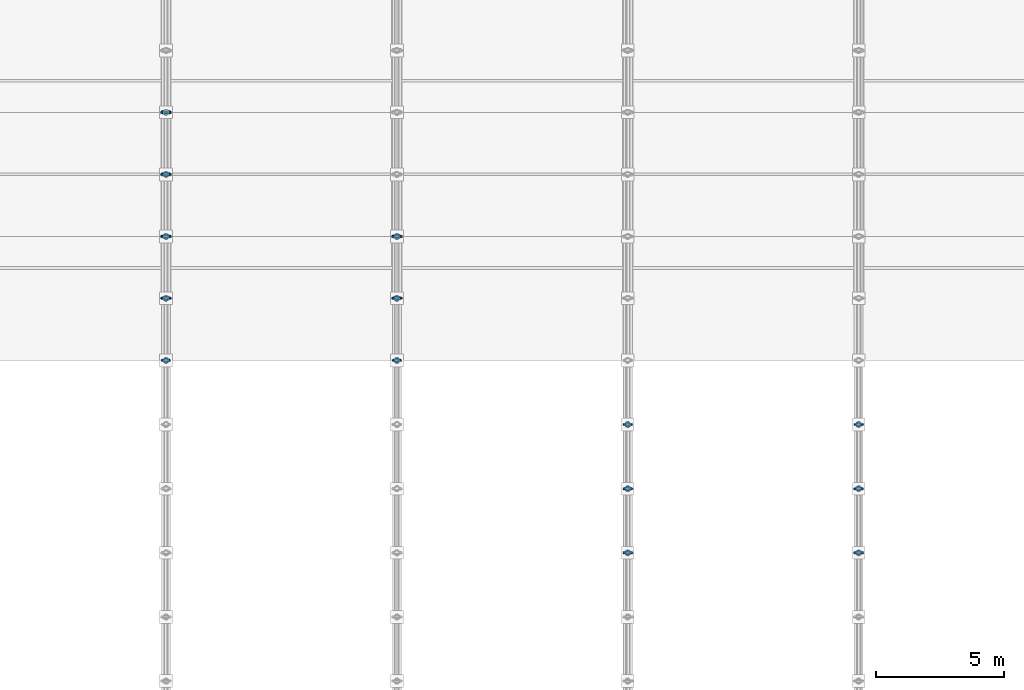
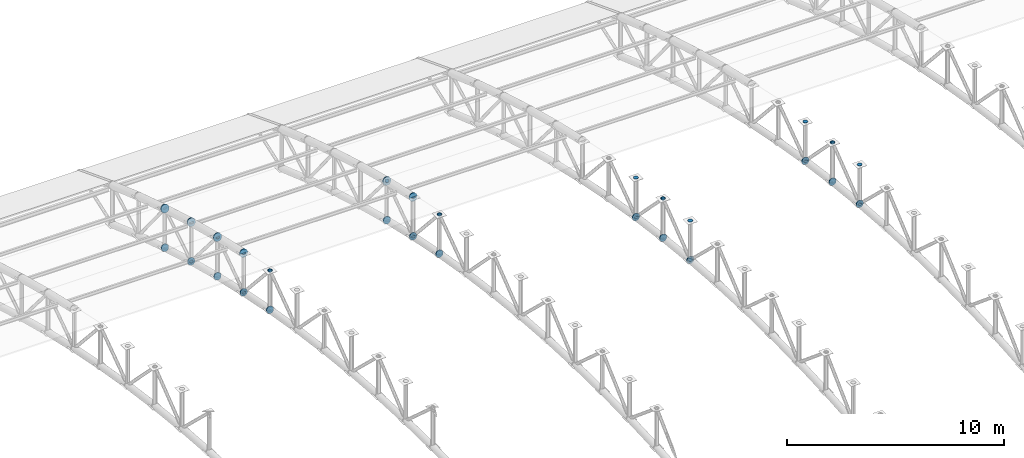
# One storey, part 158 of 195: 92 discrete accessories.
"""IFC4 building model written with IfcOpenShell, lengths in metres."""

from ifc_helpers import new_model, si_unit, direction, frame, origin, origin_2d, place, context, subcontext, project, spatial, circle, extrude, material, element, save


model = new_model("IFC4")

# Units and contexts
model_context = context("Model", 3, precision=1e-05, world=origin(), true_north=direction((0.0, 1.0)))
body_context = subcontext(model_context, "Body", "Model", "MODEL_VIEW")
ifc_project = project(units=[si_unit("LENGTHUNIT", "METRE"), si_unit("AREAUNIT", "SQUARE_METRE"), si_unit("VOLUMEUNIT", "CUBIC_METRE"), si_unit("PLANEANGLEUNIT", "RADIAN"), si_unit("MASSUNIT", "GRAM", prefix="KILO")], contexts=[model_context])

# Site, building, storey
site_placement = place(None, origin())
site = spatial("IfcSite", under=ifc_project, at=site_placement, CompositionType="ELEMENT")
building_placement = place(site_placement, origin())
building = spatial("IfcBuilding", under=site, at=building_placement, Name="Marlcrest Central Station", CompositionType="ELEMENT")
storey_placement = place(building_placement, frame((0.0, 0.0, 9.800048828125)))
storey = spatial("IfcBuildingStorey", under=building, at=storey_placement, Name="L02", CompositionType="ELEMENT", Elevation=9.800048828125)

# Discrete accessories
ifc_material = material(Name="Steel S355", Category="steel")
discrete_accessory_1_placement = place(storey_placement, frame((162.0, 80.975341796875, 3.407958984375), z_axis=(0.0, 0.98574109921, -0.168269086076), x_axis=(-1.0, 0.0, 0.0)))
element("IfcDiscreteAccessory", 1, at=discrete_accessory_1_placement, inside=storey, material=ifc_material, Name="endcap-mem-AC-02-L02-01393-e", ObjectType="END_CAP_PLATE", PredefinedType="BRACKET", context=body_context, shape_type="SweptSolid", body=[
    extrude(circle(Radius=0.185791015625, at=origin_2d()), origin(), (0.0, 0.0, 1.0), 0.0400390625),
])
discrete_accessory_2_placement = place(storey_placement, frame((162.0, 80.9794921875, 5.58935546875), z_axis=(0.0, 0.815661132754, 0.57852996164), x_axis=(-1.0, 0.0, 0.0)))
element("IfcDiscreteAccessory", 2, at=discrete_accessory_2_placement, inside=storey, material=ifc_material, Name="endcap-mem-AD-01-L02-01395-e", ObjectType="END_CAP_PLATE", PredefinedType="BRACKET", context=body_context, shape_type="SweptSolid", body=[
    extrude(circle(Radius=0.092041015625, at=origin_2d()), origin(), (0.0, 0.0, 1.0), 0.0400390625),
])
for number, where, z_axis, x_axis, name in (
    (3, (162.0, 80.9853515625, 3.40673828125), (0.0, 0.980359417961, -0.197219196874), (-1.0, 0.0, 0.0), "endcap-mem-AC-02-L02-01397-s"),
    (4, (162.0, 83.3955078125, 2.921875), (0.0, 0.980359417961, -0.197219196874), (-1.0, 0.0, 0.0), "endcap-mem-AC-02-L02-01397-e"),
):
    element("IfcDiscreteAccessory", number, at=place(storey_placement, frame(where, z_axis=z_axis, x_axis=x_axis)), inside=storey, material=ifc_material, Name=name, ObjectType="END_CAP_PLATE", PredefinedType="BRACKET", context=body_context, shape_type="SweptSolid", body=[
        extrude(circle(Radius=0.185791015625, at=origin_2d()), origin(), (0.0, 0.0, 1.0), 0.0400390625),
    ])
for number, where, z_axis, x_axis, name in (
    (5, (162.0, 81.0, 3.388916015625), (0.0, 0.0, 1.0), (1.0, 0.0, 0.0), "endcap-mem-AP-01-L02-01398-s"),
    (6, (162.0, 81.0, 5.578857421875), (0.0, 0.0, 1.0), (1.0, 0.0, 0.0), "endcap-mem-AP-01-L02-01398-e"),
):
    element("IfcDiscreteAccessory", number, at=place(storey_placement, frame(where, z_axis=z_axis, x_axis=x_axis)), inside=storey, material=ifc_material, Name=name, ObjectType="END_CAP_PLATE", PredefinedType="BRACKET", context=body_context, shape_type="SweptSolid", body=[
        extrude(circle(Radius=0.117431640625, at=origin_2d()), origin(), (0.0, 0.0, 1.0), 0.0400390625),
    ])
for number, where, z_axis, x_axis, name in (
    (7, (162.0, 80.989990234375, 5.614990234375), (0.0, 0.669244457479, -0.743042297675), (-1.0, 0.0, 0.0), "endcap-mem-AD-01-L02-01399-s"),
    (8, (162.0, 83.403076171875, 2.935546875), (0.0, 0.669244457479, -0.743042297675), (-1.0, 0.0, 0.0), "endcap-mem-AD-01-L02-01399-e"),
):
    element("IfcDiscreteAccessory", number, at=place(storey_placement, frame(where, z_axis=z_axis, x_axis=x_axis)), inside=storey, material=ifc_material, Name=name, ObjectType="END_CAP_PLATE", PredefinedType="BRACKET", context=body_context, shape_type="SweptSolid", body=[
        extrude(circle(Radius=0.092041015625, at=origin_2d()), origin(), (0.0, 0.0, 1.0), 0.0400390625),
    ])
for number, where, z_axis, x_axis, name in (
    (9, (162.0, 83.4052734375, 5.120361328125), (0.0, 0.974329612642, -0.225126200004), (-1.0, 0.0, 0.0), "endcap-mem-AC-01-L02-01400-s"),
    (10, (162.0, 85.8056640625, 4.565673828125), (0.0, 0.974329612642, -0.225126200004), (-1.0, 0.0, 0.0), "endcap-mem-AC-01-L02-01400-e"),
):
    element("IfcDiscreteAccessory", number, at=place(storey_placement, frame(where, z_axis=z_axis, x_axis=x_axis)), inside=storey, material=ifc_material, Name=name, ObjectType="END_CAP_PLATE", PredefinedType="BRACKET", context=body_context, shape_type="SweptSolid", body=[
        extrude(circle(Radius=0.211181640625, at=origin_2d()), origin(), (0.0, 0.0, 1.0), 0.0400390625),
    ])
for number, where, z_axis, x_axis, name in (
    (11, (162.0, 83.4052734375, 2.92041015625), (0.0, 0.974307959875, -0.225219891049), (-1.0, 0.0, 0.0), "endcap-mem-AC-02-L02-01401-s"),
    (12, (162.0, 85.8056640625, 2.365478515625), (0.0, 0.974307959875, -0.225219891049), (-1.0, 0.0, 0.0), "endcap-mem-AC-02-L02-01401-e"),
):
    element("IfcDiscreteAccessory", number, at=place(storey_placement, frame(where, z_axis=z_axis, x_axis=x_axis)), inside=storey, material=ifc_material, Name=name, ObjectType="END_CAP_PLATE", PredefinedType="BRACKET", context=body_context, shape_type="SweptSolid", body=[
        extrude(circle(Radius=0.185791015625, at=origin_2d()), origin(), (0.0, 0.0, 1.0), 0.0400390625),
    ])
for number, where, z_axis, x_axis, name in (
    (13, (162.0, 83.419921875, 2.902099609375), (0.0, 0.0, 1.0), (1.0, 0.0, 0.0), "endcap-mem-AP-01-L02-01402-s"),
    (14, (162.0, 83.419921875, 5.092041015625), (0.0, 0.0, 1.0), (1.0, 0.0, 0.0), "endcap-mem-AP-01-L02-01402-e"),
):
    element("IfcDiscreteAccessory", number, at=place(storey_placement, frame(where, z_axis=z_axis, x_axis=x_axis)), inside=storey, material=ifc_material, Name=name, ObjectType="END_CAP_PLATE", PredefinedType="BRACKET", context=body_context, shape_type="SweptSolid", body=[
        extrude(circle(Radius=0.117431640625, at=origin_2d()), origin(), (0.0, 0.0, 1.0), 0.0400390625),
    ])
for number, where, z_axis, x_axis, name in (
    (15, (162.0, 83.407470703125, 2.908447265625), (0.0, 0.82626275624, 0.563284881432), (-1.0, 0.0, 0.0), "endcap-mem-AD-01-L02-01403-s"),
    (16, (162.0, 85.809326171875, 4.5458984375), (0.0, 0.82626275624, 0.563284881432), (-1.0, 0.0, 0.0), "endcap-mem-AD-01-L02-01403-e"),
):
    element("IfcDiscreteAccessory", number, at=place(storey_placement, frame(where, z_axis=z_axis, x_axis=x_axis)), inside=storey, material=ifc_material, Name=name, ObjectType="END_CAP_PLATE", PredefinedType="BRACKET", context=body_context, shape_type="SweptSolid", body=[
        extrude(circle(Radius=0.092041015625, at=origin_2d()), origin(), (0.0, 0.0, 1.0), 0.0400390625),
    ])
for number, where, z_axis, x_axis, name in (
    (17, (162.0, 85.815673828125, 4.56396484375), (0.0, 0.967539481681, -0.252719906989), (-1.0, 0.0, 0.0), "endcap-mem-AC-01-L02-01404-s"),
    (18, (162.0, 88.225830078125, 3.934326171875), (0.0, 0.967539481681, -0.252719906989), (-1.0, 0.0, 0.0), "endcap-mem-AC-01-L02-01404-e"),
):
    element("IfcDiscreteAccessory", number, at=place(storey_placement, frame(where, z_axis=z_axis, x_axis=x_axis)), inside=storey, material=ifc_material, Name=name, ObjectType="END_CAP_PLATE", PredefinedType="BRACKET", context=body_context, shape_type="SweptSolid", body=[
        extrude(circle(Radius=0.211181640625, at=origin_2d()), origin(), (0.0, 0.0, 1.0), 0.0400390625),
    ])
for number, where, z_axis, x_axis, name in (
    (19, (162.0, 85.815673828125, 2.36376953125), (0.0, 0.967563345928, -0.252628524946), (-1.0, 0.0, 0.0), "endcap-mem-AC-02-L02-01405-s"),
    (20, (162.0, 88.225830078125, 1.734375), (0.0, 0.967563345928, -0.252628524946), (-1.0, 0.0, 0.0), "endcap-mem-AC-02-L02-01405-e"),
):
    element("IfcDiscreteAccessory", number, at=place(storey_placement, frame(where, z_axis=z_axis, x_axis=x_axis)), inside=storey, material=ifc_material, Name=name, ObjectType="END_CAP_PLATE", PredefinedType="BRACKET", context=body_context, shape_type="SweptSolid", body=[
        extrude(circle(Radius=0.185791015625, at=origin_2d()), origin(), (0.0, 0.0, 1.0), 0.0400390625),
    ])
for number, where, z_axis, x_axis, name in (
    (21, (162.0, 85.830078125, 2.344970703125), (0.0, 0.0, 1.0), (1.0, 0.0, 0.0), "endcap-mem-AP-01-L02-01406-s"),
    (22, (162.0, 85.830078125, 4.53515625), (0.0, 0.0, 1.0), (1.0, 0.0, 0.0), "endcap-mem-AP-01-L02-01406-e"),
):
    element("IfcDiscreteAccessory", number, at=place(storey_placement, frame(where, z_axis=z_axis, x_axis=x_axis)), inside=storey, material=ifc_material, Name=name, ObjectType="END_CAP_PLATE", PredefinedType="BRACKET", context=body_context, shape_type="SweptSolid", body=[
        extrude(circle(Radius=0.117431640625, at=origin_2d()), origin(), (0.0, 0.0, 1.0), 0.0400390625),
    ])
for number, where, z_axis, x_axis, name in (
    (23, (162.0, 85.8203125, 4.571533203125), (0.0, 0.649624779144, -0.760254987699), (-1.0, 0.0, 0.0), "endcap-mem-AD-01-L02-01407-s"),
    (24, (162.0, 88.233642578125, 1.7470703125), (0.0, 0.649624779144, -0.760254987699), (-1.0, 0.0, 0.0), "endcap-mem-AD-01-L02-01407-e"),
):
    element("IfcDiscreteAccessory", number, at=place(storey_placement, frame(where, z_axis=z_axis, x_axis=x_axis)), inside=storey, material=ifc_material, Name=name, ObjectType="END_CAP_PLATE", PredefinedType="BRACKET", context=body_context, shape_type="SweptSolid", body=[
        extrude(circle(Radius=0.092041015625, at=origin_2d()), origin(), (0.0, 0.0, 1.0), 0.0400390625),
    ])
for number, where, z_axis, x_axis, name in (
    (25, (162.0, 88.235595703125, 3.93212890625), (0.0, 0.960130083362, -0.27955361386), (-1.0, 0.0, 0.0), "endcap-mem-AC-01-L02-01408-s"),
    (26, (162.0, 90.64599609375, 3.23046875), (0.0, 0.960130083362, -0.27955361386), (-1.0, 0.0, 0.0), "endcap-mem-AC-01-L02-01408-e"),
):
    element("IfcDiscreteAccessory", number, at=place(storey_placement, frame(where, z_axis=z_axis, x_axis=x_axis)), inside=storey, material=ifc_material, Name=name, ObjectType="END_CAP_PLATE", PredefinedType="BRACKET", context=body_context, shape_type="SweptSolid", body=[
        extrude(circle(Radius=0.211181640625, at=origin_2d()), origin(), (0.0, 0.0, 1.0), 0.0400390625),
    ])
for number, where, z_axis, x_axis, name in (
    (27, (162.0, 88.235595703125, 1.732177734375), (0.0, 0.960130083362, -0.27955361386), (-1.0, 0.0, 0.0), "endcap-mem-AC-02-L02-01409-s"),
    (28, (162.0, 90.64599609375, 1.030517578125), (0.0, 0.960130083362, -0.27955361386), (-1.0, 0.0, 0.0), "endcap-mem-AC-02-L02-01409-e"),
):
    element("IfcDiscreteAccessory", number, at=place(storey_placement, frame(where, z_axis=z_axis, x_axis=x_axis)), inside=storey, material=ifc_material, Name=name, ObjectType="END_CAP_PLATE", PredefinedType="BRACKET", context=body_context, shape_type="SweptSolid", body=[
        extrude(circle(Radius=0.185791015625, at=origin_2d()), origin(), (0.0, 0.0, 1.0), 0.0400390625),
    ])
for number, where, z_axis, x_axis, name in (
    (29, (162.0, 88.25, 1.713134765625), (0.0, 0.0, 1.0), (1.0, 0.0, 0.0), "endcap-mem-AP-01-L02-01410-s"),
    (30, (162.0, 88.25, 3.903076171875), (0.0, 0.0, 1.0), (1.0, 0.0, 0.0), "endcap-mem-AP-01-L02-01410-e"),
):
    element("IfcDiscreteAccessory", number, at=place(storey_placement, frame(where, z_axis=z_axis, x_axis=x_axis)), inside=storey, material=ifc_material, Name=name, ObjectType="END_CAP_PLATE", PredefinedType="BRACKET", context=body_context, shape_type="SweptSolid", body=[
        extrude(circle(Radius=0.117431640625, at=origin_2d()), origin(), (0.0, 0.0, 1.0), 0.0400390625),
    ])
for number, where, z_axis, x_axis, name in (
    (31, (162.0, 88.2373046875, 1.72021484375), (0.0, 0.850687380038, 0.525671933286), (-1.0, 0.0, 0.0), "endcap-mem-AD-01-L02-01411-s"),
    (32, (162.0, 90.648681640625, 3.210205078125), (0.0, 0.850687380038, 0.525671933286), (-1.0, 0.0, 0.0), "endcap-mem-AD-01-L02-01411-e"),
):
    element("IfcDiscreteAccessory", number, at=place(storey_placement, frame(where, z_axis=z_axis, x_axis=x_axis)), inside=storey, material=ifc_material, Name=name, ObjectType="END_CAP_PLATE", PredefinedType="BRACKET", context=body_context, shape_type="SweptSolid", body=[
        extrude(circle(Radius=0.092041015625, at=origin_2d()), origin(), (0.0, 0.0, 1.0), 0.0400390625),
    ])
discrete_accessory_3_placement = place(storey_placement, frame((162.0, 90.65576171875, 3.22802734375), z_axis=(0.0, 0.952116828449, -0.305734435391), x_axis=(-1.0, 0.0, 0.0)))
element("IfcDiscreteAccessory", 33, at=discrete_accessory_3_placement, inside=storey, material=ifc_material, Name="endcap-mem-AC-01-L02-01412-s", ObjectType="END_CAP_PLATE", PredefinedType="BRACKET", context=body_context, shape_type="SweptSolid", body=[
    extrude(circle(Radius=0.211181640625, at=origin_2d()), origin(), (0.0, 0.0, 1.0), 0.0400390625),
])
discrete_accessory_4_placement = place(storey_placement, frame((162.0, 90.65576171875, 1.028076171875), z_axis=(0.0, 0.952116828449, -0.305734435391), x_axis=(-1.0, 0.0, 0.0)))
element("IfcDiscreteAccessory", 34, at=discrete_accessory_4_placement, inside=storey, material=ifc_material, Name="endcap-mem-AC-02-L02-01413-s", ObjectType="END_CAP_PLATE", PredefinedType="BRACKET", context=body_context, shape_type="SweptSolid", body=[
    extrude(circle(Radius=0.185791015625, at=origin_2d()), origin(), (0.0, 0.0, 1.0), 0.0400390625),
])
discrete_accessory_5_placement = place(storey_placement, frame((162.0, 90.669921875, 1.008544921875), z_axis=(0.0, 0.0, 1.0), x_axis=(1.0, 0.0, 0.0)))
element("IfcDiscreteAccessory", 35, at=discrete_accessory_5_placement, inside=storey, material=ifc_material, Name="endcap-mem-AP-01-L02-01414-s", ObjectType="END_CAP_PLATE", PredefinedType="BRACKET", context=body_context, shape_type="SweptSolid", body=[
    extrude(circle(Radius=0.117431640625, at=origin_2d()), origin(), (0.0, 0.0, 1.0), 0.0400390625),
])
discrete_accessory_6_placement = place(storey_placement, frame((171.0, 80.975341796875, 3.407958984375), z_axis=(0.0, 0.98574109921, -0.168269086076), x_axis=(-1.0, 0.0, 0.0)))
element("IfcDiscreteAccessory", 36, at=discrete_accessory_6_placement, inside=storey, material=ifc_material, Name="endcap-mem-AC-02-L02-01509-e", ObjectType="END_CAP_PLATE", PredefinedType="BRACKET", context=body_context, shape_type="SweptSolid", body=[
    extrude(circle(Radius=0.185791015625, at=origin_2d()), origin(), (0.0, 0.0, 1.0), 0.0400390625),
])
discrete_accessory_7_placement = place(storey_placement, frame((171.0, 80.9794921875, 5.58935546875), z_axis=(0.0, 0.815661132754, 0.57852996164), x_axis=(-1.0, 0.0, 0.0)))
element("IfcDiscreteAccessory", 37, at=discrete_accessory_7_placement, inside=storey, material=ifc_material, Name="endcap-mem-AD-01-L02-01511-e", ObjectType="END_CAP_PLATE", PredefinedType="BRACKET", context=body_context, shape_type="SweptSolid", body=[
    extrude(circle(Radius=0.092041015625, at=origin_2d()), origin(), (0.0, 0.0, 1.0), 0.0400390625),
])
for number, where, z_axis, x_axis, name in (
    (38, (171.0, 80.9853515625, 3.40673828125), (0.0, 0.980359417961, -0.197219196874), (-1.0, 0.0, 0.0), "endcap-mem-AC-02-L02-01513-s"),
    (39, (171.0, 83.3955078125, 2.921875), (0.0, 0.980359417961, -0.197219196874), (-1.0, 0.0, 0.0), "endcap-mem-AC-02-L02-01513-e"),
):
    element("IfcDiscreteAccessory", number, at=place(storey_placement, frame(where, z_axis=z_axis, x_axis=x_axis)), inside=storey, material=ifc_material, Name=name, ObjectType="END_CAP_PLATE", PredefinedType="BRACKET", context=body_context, shape_type="SweptSolid", body=[
        extrude(circle(Radius=0.185791015625, at=origin_2d()), origin(), (0.0, 0.0, 1.0), 0.0400390625),
    ])
for number, where, z_axis, x_axis, name in (
    (40, (171.0, 81.0, 3.388916015625), (0.0, 0.0, 1.0), (1.0, 0.0, 0.0), "endcap-mem-AP-01-L02-01514-s"),
    (41, (171.0, 81.0, 5.578857421875), (0.0, 0.0, 1.0), (1.0, 0.0, 0.0), "endcap-mem-AP-01-L02-01514-e"),
):
    element("IfcDiscreteAccessory", number, at=place(storey_placement, frame(where, z_axis=z_axis, x_axis=x_axis)), inside=storey, material=ifc_material, Name=name, ObjectType="END_CAP_PLATE", PredefinedType="BRACKET", context=body_context, shape_type="SweptSolid", body=[
        extrude(circle(Radius=0.117431640625, at=origin_2d()), origin(), (0.0, 0.0, 1.0), 0.0400390625),
    ])
for number, where, z_axis, x_axis, name in (
    (42, (171.0, 80.989990234375, 5.614990234375), (0.0, 0.669244457479, -0.743042297675), (-1.0, 0.0, 0.0), "endcap-mem-AD-01-L02-01515-s"),
    (43, (171.0, 83.403076171875, 2.935546875), (0.0, 0.669244457479, -0.743042297675), (-1.0, 0.0, 0.0), "endcap-mem-AD-01-L02-01515-e"),
):
    element("IfcDiscreteAccessory", number, at=place(storey_placement, frame(where, z_axis=z_axis, x_axis=x_axis)), inside=storey, material=ifc_material, Name=name, ObjectType="END_CAP_PLATE", PredefinedType="BRACKET", context=body_context, shape_type="SweptSolid", body=[
        extrude(circle(Radius=0.092041015625, at=origin_2d()), origin(), (0.0, 0.0, 1.0), 0.0400390625),
    ])
for number, where, z_axis, x_axis, name in (
    (44, (171.0, 83.4052734375, 5.120361328125), (0.0, 0.974329612642, -0.225126200004), (-1.0, 0.0, 0.0), "endcap-mem-AC-01-L02-01516-s"),
    (45, (171.0, 85.8056640625, 4.565673828125), (0.0, 0.974329612642, -0.225126200004), (-1.0, 0.0, 0.0), "endcap-mem-AC-01-L02-01516-e"),
):
    element("IfcDiscreteAccessory", number, at=place(storey_placement, frame(where, z_axis=z_axis, x_axis=x_axis)), inside=storey, material=ifc_material, Name=name, ObjectType="END_CAP_PLATE", PredefinedType="BRACKET", context=body_context, shape_type="SweptSolid", body=[
        extrude(circle(Radius=0.211181640625, at=origin_2d()), origin(), (0.0, 0.0, 1.0), 0.0400390625),
    ])
for number, where, z_axis, x_axis, name in (
    (46, (171.0, 83.4052734375, 2.92041015625), (0.0, 0.974307959875, -0.225219891049), (-1.0, 0.0, 0.0), "endcap-mem-AC-02-L02-01517-s"),
    (47, (171.0, 85.8056640625, 2.365478515625), (0.0, 0.974307959875, -0.225219891049), (-1.0, 0.0, 0.0), "endcap-mem-AC-02-L02-01517-e"),
):
    element("IfcDiscreteAccessory", number, at=place(storey_placement, frame(where, z_axis=z_axis, x_axis=x_axis)), inside=storey, material=ifc_material, Name=name, ObjectType="END_CAP_PLATE", PredefinedType="BRACKET", context=body_context, shape_type="SweptSolid", body=[
        extrude(circle(Radius=0.185791015625, at=origin_2d()), origin(), (0.0, 0.0, 1.0), 0.0400390625),
    ])
for number, where, z_axis, x_axis, name in (
    (48, (171.0, 83.419921875, 2.902099609375), (0.0, 0.0, 1.0), (1.0, 0.0, 0.0), "endcap-mem-AP-01-L02-01518-s"),
    (49, (171.0, 83.419921875, 5.092041015625), (0.0, 0.0, 1.0), (1.0, 0.0, 0.0), "endcap-mem-AP-01-L02-01518-e"),
):
    element("IfcDiscreteAccessory", number, at=place(storey_placement, frame(where, z_axis=z_axis, x_axis=x_axis)), inside=storey, material=ifc_material, Name=name, ObjectType="END_CAP_PLATE", PredefinedType="BRACKET", context=body_context, shape_type="SweptSolid", body=[
        extrude(circle(Radius=0.117431640625, at=origin_2d()), origin(), (0.0, 0.0, 1.0), 0.0400390625),
    ])
for number, where, z_axis, x_axis, name in (
    (50, (171.0, 83.407470703125, 2.908447265625), (0.0, 0.82626275624, 0.563284881432), (-1.0, 0.0, 0.0), "endcap-mem-AD-01-L02-01519-s"),
    (51, (171.0, 85.809326171875, 4.5458984375), (0.0, 0.82626275624, 0.563284881432), (-1.0, 0.0, 0.0), "endcap-mem-AD-01-L02-01519-e"),
):
    element("IfcDiscreteAccessory", number, at=place(storey_placement, frame(where, z_axis=z_axis, x_axis=x_axis)), inside=storey, material=ifc_material, Name=name, ObjectType="END_CAP_PLATE", PredefinedType="BRACKET", context=body_context, shape_type="SweptSolid", body=[
        extrude(circle(Radius=0.092041015625, at=origin_2d()), origin(), (0.0, 0.0, 1.0), 0.0400390625),
    ])
discrete_accessory_8_placement = place(storey_placement, frame((171.0, 85.815673828125, 4.56396484375), z_axis=(0.0, 0.967539481681, -0.252719906989), x_axis=(-1.0, 0.0, 0.0)))
element("IfcDiscreteAccessory", 52, at=discrete_accessory_8_placement, inside=storey, material=ifc_material, Name="endcap-mem-AC-01-L02-01520-s", ObjectType="END_CAP_PLATE", PredefinedType="BRACKET", context=body_context, shape_type="SweptSolid", body=[
    extrude(circle(Radius=0.211181640625, at=origin_2d()), origin(), (0.0, 0.0, 1.0), 0.0400390625),
])
discrete_accessory_9_placement = place(storey_placement, frame((171.0, 85.815673828125, 2.36376953125), z_axis=(0.0, 0.967563345928, -0.252628524946), x_axis=(-1.0, 0.0, 0.0)))
element("IfcDiscreteAccessory", 53, at=discrete_accessory_9_placement, inside=storey, material=ifc_material, Name="endcap-mem-AC-02-L02-01521-s", ObjectType="END_CAP_PLATE", PredefinedType="BRACKET", context=body_context, shape_type="SweptSolid", body=[
    extrude(circle(Radius=0.185791015625, at=origin_2d()), origin(), (0.0, 0.0, 1.0), 0.0400390625),
])
for number, where, z_axis, x_axis, name in (
    (54, (171.0, 85.830078125, 2.344970703125), (0.0, 0.0, 1.0), (1.0, 0.0, 0.0), "endcap-mem-AP-01-L02-01522-s"),
    (55, (171.0, 85.830078125, 4.53515625), (0.0, 0.0, 1.0), (1.0, 0.0, 0.0), "endcap-mem-AP-01-L02-01522-e"),
):
    element("IfcDiscreteAccessory", number, at=place(storey_placement, frame(where, z_axis=z_axis, x_axis=x_axis)), inside=storey, material=ifc_material, Name=name, ObjectType="END_CAP_PLATE", PredefinedType="BRACKET", context=body_context, shape_type="SweptSolid", body=[
        extrude(circle(Radius=0.117431640625, at=origin_2d()), origin(), (0.0, 0.0, 1.0), 0.0400390625),
    ])
discrete_accessory_10_placement = place(storey_placement, frame((171.0, 85.8203125, 4.571533203125), z_axis=(0.0, 0.649624779144, -0.760254987699), x_axis=(-1.0, 0.0, 0.0)))
element("IfcDiscreteAccessory", 56, at=discrete_accessory_10_placement, inside=storey, material=ifc_material, Name="endcap-mem-AD-01-L02-01523-s", ObjectType="END_CAP_PLATE", PredefinedType="BRACKET", context=body_context, shape_type="SweptSolid", body=[
    extrude(circle(Radius=0.092041015625, at=origin_2d()), origin(), (0.0, 0.0, 1.0), 0.0400390625),
])
discrete_accessory_11_placement = place(storey_placement, frame((180.0, 73.47509765625, 4.452880859375), z_axis=(0.0, 0.997007334767, -0.077307014043), x_axis=(-1.0, 0.0, 0.0)))
element("IfcDiscreteAccessory", 57, at=discrete_accessory_11_placement, inside=storey, material=ifc_material, Name="endcap-mem-AC-02-L02-01613-e", ObjectType="END_CAP_PLATE", PredefinedType="BRACKET", context=body_context, shape_type="SweptSolid", body=[
    extrude(circle(Radius=0.185791015625, at=origin_2d()), origin(), (0.0, 0.0, 1.0), 0.0400390625),
])
discrete_accessory_12_placement = place(storey_placement, frame((180.0, 73.48193359375, 4.46826171875), z_axis=(0.0, 0.722246537655, -0.691635698071), x_axis=(-1.0, 0.0, 0.0)))
element("IfcDiscreteAccessory", 58, at=discrete_accessory_12_placement, inside=storey, material=ifc_material, Name="endcap-mem-AD-01-L02-01615-e", ObjectType="END_CAP_PLATE", PredefinedType="BRACKET", context=body_context, shape_type="SweptSolid", body=[
    extrude(circle(Radius=0.092041015625, at=origin_2d()), origin(), (0.0, 0.0, 1.0), 0.0400390625),
])
for number, where, z_axis, x_axis, name in (
    (59, (180.0, 73.485107421875, 4.45263671875), (0.0, 0.994155341034, -0.107959056565), (-1.0, 0.0, 0.0), "endcap-mem-AC-02-L02-01617-s"),
    (60, (180.0, 75.97509765625, 4.18212890625), (0.0, 0.994155341034, -0.107959056565), (-1.0, 0.0, 0.0), "endcap-mem-AC-02-L02-01617-e"),
):
    element("IfcDiscreteAccessory", number, at=place(storey_placement, frame(where, z_axis=z_axis, x_axis=x_axis)), inside=storey, material=ifc_material, Name=name, ObjectType="END_CAP_PLATE", PredefinedType="BRACKET", context=body_context, shape_type="SweptSolid", body=[
        extrude(circle(Radius=0.185791015625, at=origin_2d()), origin(), (0.0, 0.0, 1.0), 0.0400390625),
    ])
for number, where, z_axis, x_axis, name in (
    (61, (180.0, 73.5, 4.43603515625), (0.0, 0.0, 1.0), (1.0, 0.0, 0.0), "endcap-mem-AP-01-L02-01618-s"),
    (62, (180.0, 73.5, 6.6259765625), (0.0, 0.0, 1.0), (1.0, 0.0, 0.0), "endcap-mem-AP-01-L02-01618-e"),
):
    element("IfcDiscreteAccessory", number, at=place(storey_placement, frame(where, z_axis=z_axis, x_axis=x_axis)), inside=storey, material=ifc_material, Name=name, ObjectType="END_CAP_PLATE", PredefinedType="BRACKET", context=body_context, shape_type="SweptSolid", body=[
        extrude(circle(Radius=0.117431640625, at=origin_2d()), origin(), (0.0, 0.0, 1.0), 0.0400390625),
    ])
for number, where, z_axis, x_axis, name in (
    (63, (180.0, 73.488037109375, 4.441650390625), (0.0, 0.791798282026, 0.610782678684), (-1.0, 0.0, 0.0), "endcap-mem-AD-01-L02-01619-s"),
    (64, (180.0, 75.980224609375, 6.364013671875), (0.0, 0.791798282026, 0.610782678684), (-1.0, 0.0, 0.0), "endcap-mem-AD-01-L02-01619-e"),
):
    element("IfcDiscreteAccessory", number, at=place(storey_placement, frame(where, z_axis=z_axis, x_axis=x_axis)), inside=storey, material=ifc_material, Name=name, ObjectType="END_CAP_PLATE", PredefinedType="BRACKET", context=body_context, shape_type="SweptSolid", body=[
        extrude(circle(Radius=0.092041015625, at=origin_2d()), origin(), (0.0, 0.0, 1.0), 0.0400390625),
    ])
for number, where, z_axis, x_axis, name in (
    (65, (180.0, 75.985107421875, 4.181396484375), (0.0, 0.990402740232, -0.138211476152), (-1.0, 0.0, 0.0), "endcap-mem-AC-02-L02-01621-s"),
    (66, (180.0, 78.475341796875, 3.833984375), (0.0, 0.990402740232, -0.138211476152), (-1.0, 0.0, 0.0), "endcap-mem-AC-02-L02-01621-e"),
):
    element("IfcDiscreteAccessory", number, at=place(storey_placement, frame(where, z_axis=z_axis, x_axis=x_axis)), inside=storey, material=ifc_material, Name=name, ObjectType="END_CAP_PLATE", PredefinedType="BRACKET", context=body_context, shape_type="SweptSolid", body=[
        extrude(circle(Radius=0.185791015625, at=origin_2d()), origin(), (0.0, 0.0, 1.0), 0.0400390625),
    ])
for number, where, z_axis, x_axis, name in (
    (67, (180.0, 76.0, 4.16455078125), (0.0, 0.0, 1.0), (1.0, 0.0, 0.0), "endcap-mem-AP-01-L02-01622-s"),
    (68, (180.0, 76.0, 6.3544921875), (0.0, 0.0, 1.0), (1.0, 0.0, 0.0), "endcap-mem-AP-01-L02-01622-e"),
):
    element("IfcDiscreteAccessory", number, at=place(storey_placement, frame(where, z_axis=z_axis, x_axis=x_axis)), inside=storey, material=ifc_material, Name=name, ObjectType="END_CAP_PLATE", PredefinedType="BRACKET", context=body_context, shape_type="SweptSolid", body=[
        extrude(circle(Radius=0.117431640625, at=origin_2d()), origin(), (0.0, 0.0, 1.0), 0.0400390625),
    ])
for number, where, z_axis, x_axis, name in (
    (69, (180.0, 75.989501953125, 6.39013671875), (0.0, 0.70023547796, -0.713911952139), (-1.0, 0.0, 0.0), "endcap-mem-AD-01-L02-01623-s"),
    (70, (180.0, 78.482421875, 3.848388671875), (0.0, 0.70023547796, -0.713911952139), (-1.0, 0.0, 0.0), "endcap-mem-AD-01-L02-01623-e"),
):
    element("IfcDiscreteAccessory", number, at=place(storey_placement, frame(where, z_axis=z_axis, x_axis=x_axis)), inside=storey, material=ifc_material, Name=name, ObjectType="END_CAP_PLATE", PredefinedType="BRACKET", context=body_context, shape_type="SweptSolid", body=[
        extrude(circle(Radius=0.092041015625, at=origin_2d()), origin(), (0.0, 0.0, 1.0), 0.0400390625),
    ])
discrete_accessory_13_placement = place(storey_placement, frame((180.0, 78.485107421875, 3.8330078125), z_axis=(0.0, 0.98574109921, -0.168269086076), x_axis=(-1.0, 0.0, 0.0)))
element("IfcDiscreteAccessory", 71, at=discrete_accessory_13_placement, inside=storey, material=ifc_material, Name="endcap-mem-AC-02-L02-01625-s", ObjectType="END_CAP_PLATE", PredefinedType="BRACKET", context=body_context, shape_type="SweptSolid", body=[
    extrude(circle(Radius=0.185791015625, at=origin_2d()), origin(), (0.0, 0.0, 1.0), 0.0400390625),
])
for number, where, z_axis, x_axis, name in (
    (72, (180.0, 78.5, 3.815673828125), (0.0, 0.0, 1.0), (1.0, 0.0, 0.0), "endcap-mem-AP-01-L02-01626-s"),
    (73, (180.0, 78.5, 6.005615234375), (0.0, 0.0, 1.0), (1.0, 0.0, 0.0), "endcap-mem-AP-01-L02-01626-e"),
):
    element("IfcDiscreteAccessory", number, at=place(storey_placement, frame(where, z_axis=z_axis, x_axis=x_axis)), inside=storey, material=ifc_material, Name=name, ObjectType="END_CAP_PLATE", PredefinedType="BRACKET", context=body_context, shape_type="SweptSolid", body=[
        extrude(circle(Radius=0.117431640625, at=origin_2d()), origin(), (0.0, 0.0, 1.0), 0.0400390625),
    ])
discrete_accessory_14_placement = place(storey_placement, frame((180.0, 78.48779296875, 3.82177734375), z_axis=(0.0, 0.815661132754, 0.57852996164), x_axis=(-1.0, 0.0, 0.0)))
element("IfcDiscreteAccessory", 74, at=discrete_accessory_14_placement, inside=storey, material=ifc_material, Name="endcap-mem-AD-01-L02-01627-s", ObjectType="END_CAP_PLATE", PredefinedType="BRACKET", context=body_context, shape_type="SweptSolid", body=[
    extrude(circle(Radius=0.092041015625, at=origin_2d()), origin(), (0.0, 0.0, 1.0), 0.0400390625),
])
discrete_accessory_15_placement = place(storey_placement, frame((189.0, 73.47509765625, 4.452880859375), z_axis=(0.0, 0.997007334767, -0.077307014043), x_axis=(-1.0, 0.0, 0.0)))
element("IfcDiscreteAccessory", 75, at=discrete_accessory_15_placement, inside=storey, material=ifc_material, Name="endcap-mem-AC-02-L02-01729-e", ObjectType="END_CAP_PLATE", PredefinedType="BRACKET", context=body_context, shape_type="SweptSolid", body=[
    extrude(circle(Radius=0.185791015625, at=origin_2d()), origin(), (0.0, 0.0, 1.0), 0.0400390625),
])
discrete_accessory_16_placement = place(storey_placement, frame((189.0, 73.48193359375, 4.46826171875), z_axis=(0.0, 0.722246537655, -0.691635698071), x_axis=(-1.0, 0.0, 0.0)))
element("IfcDiscreteAccessory", 76, at=discrete_accessory_16_placement, inside=storey, material=ifc_material, Name="endcap-mem-AD-01-L02-01731-e", ObjectType="END_CAP_PLATE", PredefinedType="BRACKET", context=body_context, shape_type="SweptSolid", body=[
    extrude(circle(Radius=0.092041015625, at=origin_2d()), origin(), (0.0, 0.0, 1.0), 0.0400390625),
])
for number, where, z_axis, x_axis, name in (
    (77, (189.0, 73.485107421875, 4.45263671875), (0.0, 0.994155341034, -0.107959056565), (-1.0, 0.0, 0.0), "endcap-mem-AC-02-L02-01733-s"),
    (78, (189.0, 75.97509765625, 4.18212890625), (0.0, 0.994155341034, -0.107959056565), (-1.0, 0.0, 0.0), "endcap-mem-AC-02-L02-01733-e"),
):
    element("IfcDiscreteAccessory", number, at=place(storey_placement, frame(where, z_axis=z_axis, x_axis=x_axis)), inside=storey, material=ifc_material, Name=name, ObjectType="END_CAP_PLATE", PredefinedType="BRACKET", context=body_context, shape_type="SweptSolid", body=[
        extrude(circle(Radius=0.185791015625, at=origin_2d()), origin(), (0.0, 0.0, 1.0), 0.0400390625),
    ])
for number, where, z_axis, x_axis, name in (
    (79, (189.0, 73.5, 4.43603515625), (0.0, 0.0, 1.0), (1.0, 0.0, 0.0), "endcap-mem-AP-01-L02-01734-s"),
    (80, (189.0, 73.5, 6.6259765625), (0.0, 0.0, 1.0), (1.0, 0.0, 0.0), "endcap-mem-AP-01-L02-01734-e"),
):
    element("IfcDiscreteAccessory", number, at=place(storey_placement, frame(where, z_axis=z_axis, x_axis=x_axis)), inside=storey, material=ifc_material, Name=name, ObjectType="END_CAP_PLATE", PredefinedType="BRACKET", context=body_context, shape_type="SweptSolid", body=[
        extrude(circle(Radius=0.117431640625, at=origin_2d()), origin(), (0.0, 0.0, 1.0), 0.0400390625),
    ])
for number, where, z_axis, x_axis, name in (
    (81, (189.0, 73.488037109375, 4.441650390625), (0.0, 0.791798282026, 0.610782678684), (-1.0, 0.0, 0.0), "endcap-mem-AD-01-L02-01735-s"),
    (82, (189.0, 75.980224609375, 6.364013671875), (0.0, 0.791798282026, 0.610782678684), (-1.0, 0.0, 0.0), "endcap-mem-AD-01-L02-01735-e"),
):
    element("IfcDiscreteAccessory", number, at=place(storey_placement, frame(where, z_axis=z_axis, x_axis=x_axis)), inside=storey, material=ifc_material, Name=name, ObjectType="END_CAP_PLATE", PredefinedType="BRACKET", context=body_context, shape_type="SweptSolid", body=[
        extrude(circle(Radius=0.092041015625, at=origin_2d()), origin(), (0.0, 0.0, 1.0), 0.0400390625),
    ])
for number, where, z_axis, x_axis, name in (
    (83, (189.0, 75.985107421875, 4.181396484375), (0.0, 0.990402740232, -0.138211476152), (-1.0, 0.0, 0.0), "endcap-mem-AC-02-L02-01737-s"),
    (84, (189.0, 78.475341796875, 3.833984375), (0.0, 0.990402740232, -0.138211476152), (-1.0, 0.0, 0.0), "endcap-mem-AC-02-L02-01737-e"),
):
    element("IfcDiscreteAccessory", number, at=place(storey_placement, frame(where, z_axis=z_axis, x_axis=x_axis)), inside=storey, material=ifc_material, Name=name, ObjectType="END_CAP_PLATE", PredefinedType="BRACKET", context=body_context, shape_type="SweptSolid", body=[
        extrude(circle(Radius=0.185791015625, at=origin_2d()), origin(), (0.0, 0.0, 1.0), 0.0400390625),
    ])
for number, where, z_axis, x_axis, name in (
    (85, (189.0, 76.0, 4.16455078125), (0.0, 0.0, 1.0), (1.0, 0.0, 0.0), "endcap-mem-AP-01-L02-01738-s"),
    (86, (189.0, 76.0, 6.3544921875), (0.0, 0.0, 1.0), (1.0, 0.0, 0.0), "endcap-mem-AP-01-L02-01738-e"),
):
    element("IfcDiscreteAccessory", number, at=place(storey_placement, frame(where, z_axis=z_axis, x_axis=x_axis)), inside=storey, material=ifc_material, Name=name, ObjectType="END_CAP_PLATE", PredefinedType="BRACKET", context=body_context, shape_type="SweptSolid", body=[
        extrude(circle(Radius=0.117431640625, at=origin_2d()), origin(), (0.0, 0.0, 1.0), 0.0400390625),
    ])
for number, where, z_axis, x_axis, name in (
    (87, (189.0, 75.989501953125, 6.39013671875), (0.0, 0.70023547796, -0.713911952139), (-1.0, 0.0, 0.0), "endcap-mem-AD-01-L02-01739-s"),
    (88, (189.0, 78.482421875, 3.848388671875), (0.0, 0.70023547796, -0.713911952139), (-1.0, 0.0, 0.0), "endcap-mem-AD-01-L02-01739-e"),
):
    element("IfcDiscreteAccessory", number, at=place(storey_placement, frame(where, z_axis=z_axis, x_axis=x_axis)), inside=storey, material=ifc_material, Name=name, ObjectType="END_CAP_PLATE", PredefinedType="BRACKET", context=body_context, shape_type="SweptSolid", body=[
        extrude(circle(Radius=0.092041015625, at=origin_2d()), origin(), (0.0, 0.0, 1.0), 0.0400390625),
    ])
discrete_accessory_17_placement = place(storey_placement, frame((189.0, 78.485107421875, 3.8330078125), z_axis=(0.0, 0.98574109921, -0.168269086076), x_axis=(-1.0, 0.0, 0.0)))
element("IfcDiscreteAccessory", 89, at=discrete_accessory_17_placement, inside=storey, material=ifc_material, Name="endcap-mem-AC-02-L02-01741-s", ObjectType="END_CAP_PLATE", PredefinedType="BRACKET", context=body_context, shape_type="SweptSolid", body=[
    extrude(circle(Radius=0.185791015625, at=origin_2d()), origin(), (0.0, 0.0, 1.0), 0.0400390625),
])
for number, where, z_axis, x_axis, name in (
    (90, (189.0, 78.5, 3.815673828125), (0.0, 0.0, 1.0), (1.0, 0.0, 0.0), "endcap-mem-AP-01-L02-01742-s"),
    (91, (189.0, 78.5, 6.005615234375), (0.0, 0.0, 1.0), (1.0, 0.0, 0.0), "endcap-mem-AP-01-L02-01742-e"),
):
    element("IfcDiscreteAccessory", number, at=place(storey_placement, frame(where, z_axis=z_axis, x_axis=x_axis)), inside=storey, material=ifc_material, Name=name, ObjectType="END_CAP_PLATE", PredefinedType="BRACKET", context=body_context, shape_type="SweptSolid", body=[
        extrude(circle(Radius=0.117431640625, at=origin_2d()), origin(), (0.0, 0.0, 1.0), 0.0400390625),
    ])
discrete_accessory_18_placement = place(storey_placement, frame((189.0, 78.48779296875, 3.82177734375), z_axis=(0.0, 0.815661132754, 0.57852996164), x_axis=(-1.0, 0.0, 0.0)))
element("IfcDiscreteAccessory", 92, at=discrete_accessory_18_placement, inside=storey, material=ifc_material, Name="endcap-mem-AD-01-L02-01743-s", ObjectType="END_CAP_PLATE", PredefinedType="BRACKET", context=body_context, shape_type="SweptSolid", body=[
    extrude(circle(Radius=0.092041015625, at=origin_2d()), origin(), (0.0, 0.0, 1.0), 0.0400390625),
])

save(model, "model.ifc")
